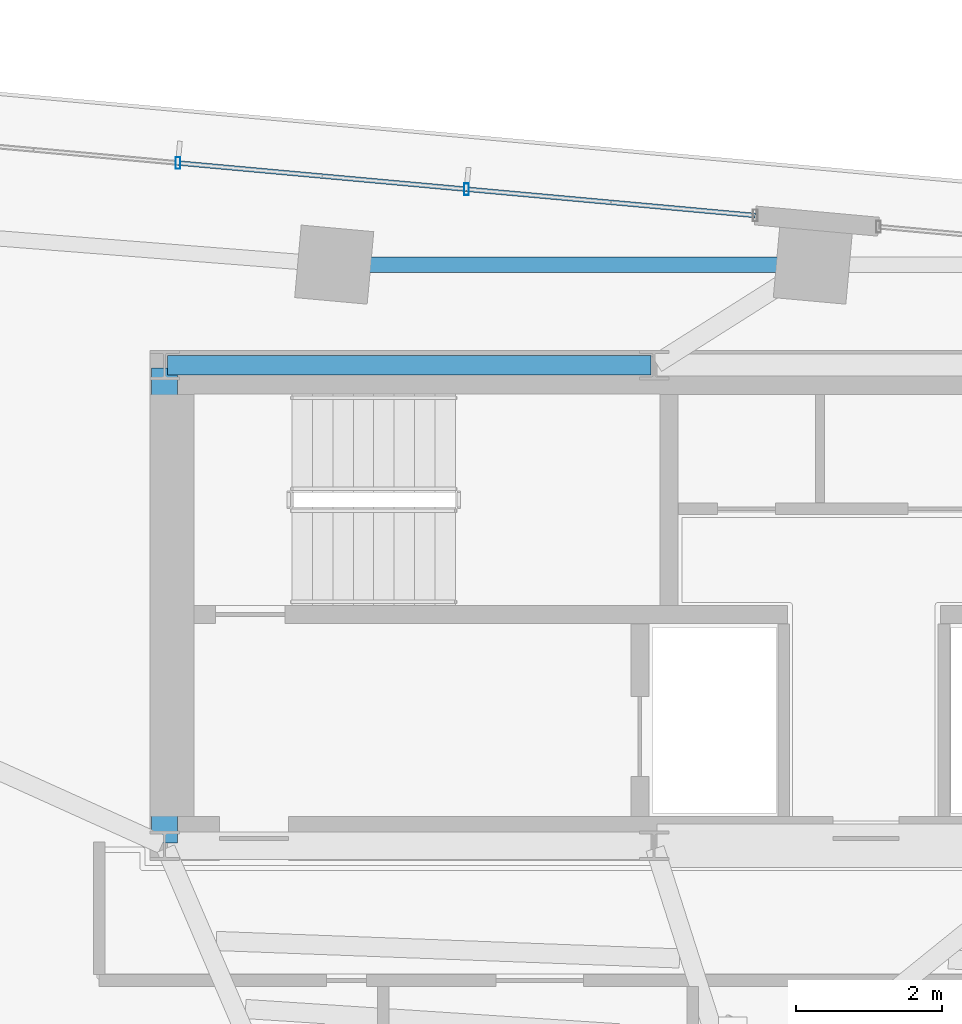
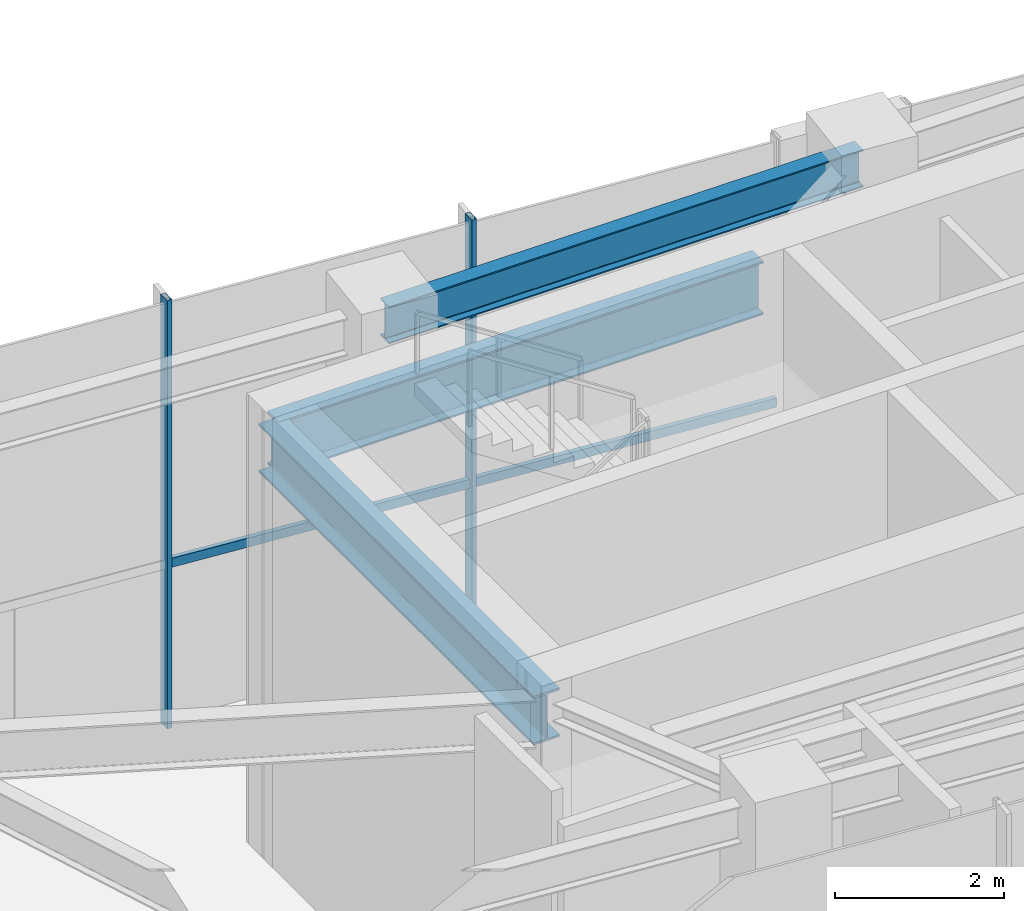
# One storey, part 5 of 18: 4 members, 3 beams, 1 element without a shape of its own.
"""IFC4 building model written with IfcOpenShell, lengths in metres."""

import ifcopenshell
import ifcopenshell.guid

model = None  # the IFC model being written
_history = None  # IfcOwnerHistory: only IFC2X3 demands one
_inside = {}  # id of a spatial element -> (the spatial element, [elements in it])
_under = {}  # id of a project, library or spatial element -> (it, [spatial elements below it])
_declared = {}  # id of a project -> (the project, [libraries it declares])
_typed = {}  # id of a type object -> (the type object, [elements of that type])
_made_of = {}  # id of a material, layer set ... -> (it, [elements and type objects made of it])


def new_model(schema):
    """Start an empty IFC model of exactly this schema.

    Asked for "IFC4X3", IfcOpenShell would pick the latest addendum, in which some entities
    have other attributes; the version numbers below select the first issue.
    IFC2X3 requires an IfcOwnerHistory on every rooted entity: one is made here for all.
    """
    global model, _history
    if schema == "IFC4X3":
        model = ifcopenshell.file(schema_version=(4, 3, 0, 0))
    else:
        model = ifcopenshell.file(schema=schema)
    _inside.clear()
    _under.clear()
    _declared.clear()
    _typed.clear()
    _made_of.clear()
    _history = None
    if model.schema == "IFC2X3":
        org = make("IfcOrganization", Name="unknown")
        user = make(
            "IfcPersonAndOrganization",
            ThePerson=make("IfcPerson", FamilyName="unknown"),
            TheOrganization=org,
        )
        app = make(
            "IfcApplication",
            ApplicationDeveloper=org,
            Version="unknown",
            ApplicationFullName="unknown",
            ApplicationIdentifier="unknown",
        )
        _history = make(
            "IfcOwnerHistory",
            OwningUser=user,
            OwningApplication=app,
            ChangeAction="ADDED",
            CreationDate=0,
        )
    return model


def make(cls, **values):
    """One entity of the class cls with the attributes given. An attribute that is None is left unset."""
    return model.create_entity(
        cls, **{name: value for name, value in values.items() if value is not None}
    )


def rooted(cls, **values):
    """An entity with a GlobalId (a new one), such as an element, a storey or a relation."""
    return make(cls, GlobalId=ifcopenshell.guid.new(), OwnerHistory=_history, **values)


def si_unit(unit_type, name, prefix=None):
    """IfcSIUnit, for example si_unit("LENGTHUNIT", "METRE", prefix="MILLI")."""
    return make("IfcSIUnit", UnitType=unit_type, Prefix=prefix, Name=name)


def assignment(units):
    """IfcUnitAssignment: the units of a project."""
    return None if units is None else make("IfcUnitAssignment", Units=units)


def point(xyz):
    """IfcCartesianPoint."""
    return None if xyz is None else make("IfcCartesianPoint", Coordinates=xyz)


def direction(xyz):
    """IfcDirection."""
    return None if xyz is None else make("IfcDirection", DirectionRatios=xyz)


def frame(location, z_axis=None, x_axis=None):
    """IfcAxis2Placement3D, a coordinate frame: its origin and axes. An axis left out is left unset."""
    return make(
        "IfcAxis2Placement3D",
        Location=point(location),
        Axis=direction(z_axis),
        RefDirection=direction(x_axis),
    )


def frame_2d(location, x_axis=None):
    """IfcAxis2Placement2D, a coordinate frame in the plane: its origin and x axis."""
    return make(
        "IfcAxis2Placement2D", Location=point(location), RefDirection=direction(x_axis)
    )


def origin():
    """The frame at (0, 0, 0) with its axes left unset."""
    return frame((0.0, 0.0, 0.0))


def origin_2d():
    """The frame at (0, 0) in the plane with its x axis left unset."""
    return frame_2d((0.0, 0.0))


def place(relative_to, where):
    """IfcLocalPlacement: puts the frame where relative to a parent placement (None: the world)."""
    return make(
        "IfcLocalPlacement", PlacementRelTo=relative_to, RelativePlacement=where
    )


def context(
    kind, dimensions, precision=None, world=None, true_north=None, identifier=None
):
    """IfcGeometricRepresentationContext, for example the 3D "Model" context."""
    return make(
        "IfcGeometricRepresentationContext",
        ContextIdentifier=identifier,
        ContextType=kind,
        CoordinateSpaceDimension=dimensions,
        Precision=precision,
        WorldCoordinateSystem=world,
        TrueNorth=true_north,
    )


def subcontext(parent, identifier, kind, view, scale=None):
    """IfcGeometricRepresentationSubContext, for example "Body" below "Model"."""
    return make(
        "IfcGeometricRepresentationSubContext",
        ContextIdentifier=identifier,
        ContextType=kind,
        ParentContext=parent,
        TargetScale=scale,
        TargetView=view,
    )


def project(units=None, contexts=None):
    """IfcProject with its units and contexts."""
    return rooted(
        "IfcProject",
        Name="project",
        RepresentationContexts=contexts,
        UnitsInContext=assignment(units),
    )


def spatial(cls, under=None, at=None, **own):
    """A site, building, storey or space (cls), placed at a placement, below another one or the project."""
    s = rooted(cls, ObjectPlacement=at, **own)
    if under is not None:
        _under.setdefault(under.id(), (under, []))[1].append(s)
    return s


def profile(cls, at=None, kind="AREA", **sizes):
    """A parametric profile (cls). Its sizes go by their IFC names, for example OverallWidth=200.0."""
    return make(cls, ProfileType=kind, Position=at, **sizes)


def hollow_rectangle(**sizes):
    """IfcRectangleHollowProfileDef."""
    return profile("IfcRectangleHollowProfileDef", **sizes)


def i_section(**sizes):
    """IfcIShapeProfileDef."""
    return profile("IfcIShapeProfileDef", **sizes)


def extrude(swept, where, along, depth):
    """IfcExtrudedAreaSolid: the profile swept, set in the frame where, extruded along a direction by depth."""
    return make(
        "IfcExtrudedAreaSolid",
        SweptArea=swept,
        Position=where,
        ExtrudedDirection=direction(along),
        Depth=depth,
    )


def shape(context_of_items, identifier, shape_type, items):
    """IfcShapeRepresentation: the items that make up one representation, for example the "Body"."""
    return make(
        "IfcShapeRepresentation",
        ContextOfItems=context_of_items,
        RepresentationIdentifier=identifier,
        RepresentationType=shape_type,
        Items=items,
    )


def source(mapping_origin, context_of_items, identifier, shape_type, items):
    """IfcRepresentationMap: a shape defined once, which mapped items show again and again."""
    return make(
        "IfcRepresentationMap",
        MappingOrigin=mapping_origin,
        MappedRepresentation=shape(context_of_items, identifier, shape_type, items),
    )


def transform(
    local_origin,
    x_axis=None,
    y_axis=None,
    z_axis=None,
    scale=None,
    scale2=None,
    scale3=None,
    uniform=True,
):
    """IfcCartesianTransformationOperator3D, or its non-uniform kind. x_axis, y_axis, z_axis: its Axis1, 2, 3."""
    if uniform:
        return make(
            "IfcCartesianTransformationOperator3D",
            Axis1=direction(x_axis),
            Axis2=direction(y_axis),
            LocalOrigin=point(local_origin),
            Scale=scale,
            Axis3=direction(z_axis),
        )
    return make(
        "IfcCartesianTransformationOperator3DnonUniform",
        Axis1=direction(x_axis),
        Axis2=direction(y_axis),
        LocalOrigin=point(local_origin),
        Scale=scale,
        Axis3=direction(z_axis),
        Scale2=scale2,
        Scale3=scale3,
    )


def mapped(mapping_source, mapping_target):
    """IfcMappedItem: shows the shape of a source again, moved by a transform."""
    return make(
        "IfcMappedItem", MappingSource=mapping_source, MappingTarget=mapping_target
    )


def material(Name=None, Category=None):
    """IfcMaterial."""
    return make("IfcMaterial", Name=Name, Category=Category)


def material_profile(
    of_material, cross_section, Name=None, Category=None, Priority=None
):
    """IfcMaterialProfile: a cross section and its material."""
    return make(
        "IfcMaterialProfile",
        Name=Name,
        Material=of_material,
        Profile=cross_section,
        Priority=Priority,
        Category=Category,
    )


def profile_set(profiles, Name=None, composite=None):
    """IfcMaterialProfileSet."""
    return make(
        "IfcMaterialProfileSet",
        Name=Name,
        MaterialProfiles=profiles,
        CompositeProfile=composite,
    )


def made_of(thing, what):
    """Note that an element or type object is made of a material, layer set ...; save() writes the relation."""
    if what is not None:
        _made_of.setdefault(what.id(), (what, []))[1].append(thing)
    return thing


def type_object(cls, material=None, **own):
    """A type object (cls), such as IfcWallType, which elements share."""
    return made_of(rooted(cls, **own), material)


def type_shapes(of_type, sources):
    """Give a type object the sources (RepresentationMaps) that its elements show as mapped items."""
    of_type.RepresentationMaps = sources


def element(
    cls,
    number,
    at=None,
    inside=None,
    cuts=None,
    type_object=None,
    material=None,
    context=None,
    identifier="Body",
    shape_type=None,
    held_by="IfcProductDefinitionShape",
    body=None,
    shapes=None,
    **own,
):
    """One element of the class cls, such as IfcWall. Its Tag is "e" and its number.

    at: its placement. inside: the storey or other place that contains it. cuts: it is an
    opening in that element (IfcRelVoidsElement). A single representation is given by context,
    identifier, shape_type and body (its items); several are given by shapes. held_by: the class
    of the entity that holds the representations. save() writes the other relations.
    """
    e = rooted(cls, Tag="e%d" % number, ObjectPlacement=at, **own)
    if body is not None:
        shapes = [shape(context, identifier, shape_type, body)]
    if shapes is not None:
        e.Representation = make(held_by, Representations=shapes)
    if inside is not None:
        _inside.setdefault(inside.id(), (inside, []))[1].append(e)
    if cuts is not None:
        rooted(
            "IfcRelVoidsElement", RelatingBuildingElement=cuts, RelatedOpeningElement=e
        )
    if type_object is not None:
        _typed.setdefault(type_object.id(), (type_object, []))[1].append(e)
    return made_of(e, material)


def aggregate(whole, parts):
    """IfcRelAggregates: a whole, such as a stair, and the parts it consists of."""
    return rooted("IfcRelAggregates", RelatingObject=whole, RelatedObjects=parts)


def save(model, path):
    """Write the relations noted so far, then the file.

    IfcRelAggregates (storeys below a building ...), IfcRelContainedInSpatialStructure (elements
    in a storey), IfcRelDefinesByType, IfcRelAssociatesMaterial and IfcRelDeclares: one each for
    every whole, place, type object, material and project.
    """
    for whole, parts in _under.values():
        aggregate(whole, parts)
    for where, things in _inside.values():
        rooted(
            "IfcRelContainedInSpatialStructure",
            RelatedElements=things,
            RelatingStructure=where,
        )
    for kind, things in _typed.values():
        rooted("IfcRelDefinesByType", RelatedObjects=things, RelatingType=kind)
    for what, things in _made_of.values():
        rooted("IfcRelAssociatesMaterial", RelatedObjects=things, RelatingMaterial=what)
    for by, libraries in _declared.values():
        rooted("IfcRelDeclares", RelatingContext=by, RelatedDefinitions=libraries)
    model.write(path)


model = new_model("IFC4")

# Units and contexts
model_context = context("Model", 3, precision=1e-05, world=origin(), true_north=direction((0.0, 1.0)))
body_context = subcontext(model_context, "Body", "Model", "MODEL_VIEW")
ifc_project = project(units=[si_unit("LENGTHUNIT", "METRE"), si_unit("AREAUNIT", "SQUARE_METRE"), si_unit("VOLUMEUNIT", "CUBIC_METRE"), si_unit("PLANEANGLEUNIT", "RADIAN"), si_unit("MASSUNIT", "GRAM", prefix="KILO")], contexts=[model_context])

# Site, building, storey
site_placement = place(None, origin())
site = spatial("IfcSite", under=ifc_project, at=site_placement, CompositionType="ELEMENT")
building_placement = place(site_placement, origin())
building = spatial("IfcBuilding", under=site, at=building_placement, Name="Astriad Promenade Condominiums", CompositionType="ELEMENT")
storey_placement = place(building_placement, frame((0.0, 0.0, 264.300048828125)))
storey = spatial("IfcBuildingStorey", under=building, at=storey_placement, Name="L76", CompositionType="ELEMENT", Elevation=264.300048828125)

# Beams
ifc_material_1 = material(Name="Steel ASTM A992 Grade 50", Category="steel")
ifc_material_profile_1 = material_profile(ifc_material_1, i_section(OverallWidth=0.267822265625, OverallDepth=0.76953125, WebThickness=0.015625, FlangeThickness=0.025390625, FilletRadius=0.021484375, at=origin_2d()), Name="W30X132")
ifc_profile_set_1 = profile_set([ifc_material_profile_1], Name="Steel ASTM A992 Grade 50")
beam_type_1 = type_object("IfcBeamType", Name="STEEL FLOOR GIRDER W30X132", PredefinedType="BEAM", material=ifc_profile_set_1)
shared_shape_1 = source(origin(), body_context, "Body", "SweptSolid", [
    extrude(i_section(OverallWidth=0.267822265625, OverallDepth=0.76953125, WebThickness=0.015625, FlangeThickness=0.025390625, FilletRadius=0.021484375, at=origin_2d()), origin(), (0.0, 0.0, 1.0), 6.64013671875),
])
type_shapes(beam_type_1, [shared_shape_1])
beam_1_placement = place(storey_placement, frame((26.43994140625, 24.0, 5.815185546875), z_axis=(1.0, 0.0, 0.0), x_axis=(0.0, 1.0, 0.0)))
element("IfcBeam", 1, at=beam_1_placement, inside=storey, type_object=beam_type_1, Name="Core Ring Beam CG-N1-L76", PredefinedType="BEAM", context=body_context, shape_type="MappedRepresentation", body=[
    mapped(shared_shape_1, transform((0.0, 0.0, 0.0), scale=1.0)),
])
ifc_material_profile_2 = material_profile(ifc_material_1, i_section(OverallWidth=0.35791015625, OverallDepth=0.706298828125, WebThickness=0.018310546875, FlangeThickness=0.0302734375, FilletRadius=0.020263671875, at=origin_2d()), Name="W27X178")
ifc_profile_set_2 = profile_set([ifc_material_profile_2], Name="Steel ASTM A992 Grade 50")
beam_type_2 = type_object("IfcBeamType", Name="STEEL FLOOR GIRDER W27X178", PredefinedType="BEAM", material=ifc_profile_set_2)
shared_shape_2 = source(origin(), body_context, "Body", "SweptSolid", [
    extrude(i_section(OverallWidth=0.35791015625, OverallDepth=0.706298828125, WebThickness=0.018310546875, FlangeThickness=0.0302734375, FilletRadius=0.020263671875, at=origin_2d()), origin(), (0.0, 0.0, 1.0), 6.52001953125),
])
type_shapes(beam_type_2, [shared_shape_2])
beam_2_placement = place(storey_placement, frame((26.39990234375, 17.43994140625, 5.8466796875), z_axis=(0.0, 1.0, 0.0), x_axis=(-1.0, 0.0, 0.0)))
element("IfcBeam", 2, at=beam_2_placement, inside=storey, type_object=beam_type_2, Name="Core Ring Beam CG-W1-L76", PredefinedType="BEAM", context=body_context, shape_type="MappedRepresentation", body=[
    mapped(shared_shape_2, transform((0.0, 0.0, 0.0), scale=1.0)),
])
ifc_material_profile_3 = material_profile(ifc_material_1, i_section(OverallWidth=0.210693359375, OverallDepth=0.53955078125, WebThickness=0.01171875, FlangeThickness=0.018798828125, FilletRadius=0.0166015625, at=origin_2d()), Name="W21X73")
ifc_profile_set_3 = profile_set([ifc_material_profile_3], Name="Steel ASTM A992 Grade 50")
beam_type_3 = type_object("IfcBeamType", Name="STEEL SPANDREL BEAM W21X73", PredefinedType="SPANDREL", material=ifc_profile_set_3)
shared_shape_3 = source(origin(), body_context, "Body", "SweptSolid", [
    extrude(i_section(OverallWidth=0.210693359375, OverallDepth=0.53955078125, WebThickness=0.01171875, FlangeThickness=0.018798828125, FilletRadius=0.0166015625, at=origin_2d()), origin(), (0.0, 0.0, 1.0), 6.49267578125),
])
type_shapes(beam_type_3, [shared_shape_3])
beam_3_placement = place(storey_placement, frame((35.26025390625, 25.3798828125, 5.93017578125), z_axis=(-1.0, 0.0, 0.0), x_axis=(0.0, -1.0, 0.0)))
element("IfcBeam", 3, at=beam_3_placement, inside=storey, type_object=beam_type_3, Name="Perimeter Spandrel Beam SP-N2-L76", PredefinedType="SPANDREL", context=body_context, shape_type="MappedRepresentation", body=[
    mapped(shared_shape_3, transform((0.0, 0.0, 0.0), scale=1.0)),
])

# Curtain wall, members
ifc_material_2 = material(Name="Anodised aluminium Black Dark Glass Unitised", Category="aluminium")
curtain_wall_type = type_object("IfcCurtainWallType", Name="CW-TMD-LANTERN", PredefinedType="USERDEFINED", material=ifc_material_2)
curtain_wall_placement = place(storey_placement, origin())
curtain_wall = element("IfcCurtainWall", 4, at=curtain_wall_placement, inside=storey, type_object=curtain_wall_type, Name="CW-LNT-L76-08-1", ObjectType="UNITISED_CURTAIN_WALL", PredefinedType="USERDEFINED")
ifc_material_3 = material(Name="Anodised aluminium 6063-T6 Black", Category="aluminium")
ifc_material_profile_4 = material_profile(ifc_material_3, hollow_rectangle(XDim=0.06494140625, YDim=0.159912109375, WallThickness=0.00390625, at=origin_2d()), Name="ALU-MUL-65X160")
ifc_profile_set_4 = profile_set([ifc_material_profile_4], Name="Anodised aluminium 6063-T6 Black")
member_type_1 = type_object("IfcMemberType", Name="MUL-ALU-MUL-65X160", PredefinedType="MULLION", material=ifc_profile_set_4)
shared_shape_4 = source(origin(), body_context, "Body", "SweptSolid", [
    extrude(hollow_rectangle(XDim=0.06494140625, YDim=0.159912109375, WallThickness=0.00390625, at=origin_2d()), origin(), (0.0, 0.0, 1.0), 6.199951171875),
])
type_shapes(member_type_1, [shared_shape_4])
member_1_placement = place(storey_placement, frame((26.582275390625, 26.77587890625, 0.0), z_axis=(0.0, 0.0, 1.0), x_axis=(1.0, 0.0, 0.0)))
member_1 = element("IfcMember", 5, at=member_1_placement, type_object=member_type_1, Name="CW-LNT-L76-08-1-MUL-01", PredefinedType="MULLION", context=body_context, shape_type="MappedRepresentation", body=[
    mapped(shared_shape_4, transform((0.0, 0.0, 0.0), scale=1.0)),
])
member_2_placement = place(storey_placement, frame((30.545166015625, 26.415283203125, 0.0), z_axis=(0.0, 0.0, 1.0), x_axis=(1.0, 0.0, 0.0)))
member_2 = element("IfcMember", 6, at=member_2_placement, type_object=member_type_1, Name="CW-LNT-L76-08-1-MUL-02", PredefinedType="MULLION", context=body_context, shape_type="MappedRepresentation", body=[
    mapped(shared_shape_4, transform((0.0, 0.0, 0.0), scale=1.0)),
])
ifc_material_profile_5 = material_profile(ifc_material_3, hollow_rectangle(XDim=0.06494140625, YDim=0.1298828125, WallThickness=0.00390625, at=origin_2d()), Name="ALU-TRN-65X130")
ifc_profile_set_5 = profile_set([ifc_material_profile_5], Name="Anodised aluminium 6063-T6 Black")
member_type_2 = type_object("IfcMemberType", Name="TRN-ALU-TRN-65X130", PredefinedType="USERDEFINED", material=ifc_profile_set_5)
shared_shape_5 = source(origin(), body_context, "Body", "SweptSolid", [
    extrude(hollow_rectangle(XDim=0.06494140625, YDim=0.1298828125, WallThickness=0.00390625, at=origin_2d()), origin(), (0.0, 0.0, 1.0), 3.9794921875),
])
member_3_placement = place(storey_placement, frame((30.545166015625, 26.415283203125, 2.349853515625), z_axis=(0.995886163352, -0.09061318692, 0.0), x_axis=(0.09061318692, 0.995886163352, 0.0)))
member_3 = element("IfcMember", 7, at=member_3_placement, type_object=member_type_2, Name="CW-LNT-L76-08-1-TRN-02-0", ObjectType="TRANSOM", PredefinedType="USERDEFINED", context=body_context, shape_type="MappedRepresentation", body=[
    mapped(shared_shape_5, transform((0.0, 0.0, 0.0), scale=1.0)),
])
shared_shape_6 = source(origin(), body_context, "Body", "SweptSolid", [
    extrude(hollow_rectangle(XDim=0.06494140625, YDim=0.1298828125, WallThickness=0.00390625, at=origin_2d()), origin(), (0.0, 0.0, 1.0), 3.979248046875),
])
type_shapes(member_type_2, [shared_shape_5, shared_shape_6])
member_4_placement = place(storey_placement, frame((26.582275390625, 26.77587890625, 2.349853515625), z_axis=(0.995885659581, -0.09061872346, 0.0), x_axis=(0.09061872346, 0.995885659581, 0.0)))
member_4 = element("IfcMember", 8, at=member_4_placement, type_object=member_type_2, Name="CW-LNT-L76-08-1-TRN-01-0", ObjectType="TRANSOM", PredefinedType="USERDEFINED", context=body_context, shape_type="MappedRepresentation", body=[
    mapped(shared_shape_6, transform((0.0, 0.0, 0.0), scale=1.0)),
])
aggregate(curtain_wall, [member_1, member_2, member_4, member_3])

save(model, "model.ifc")
